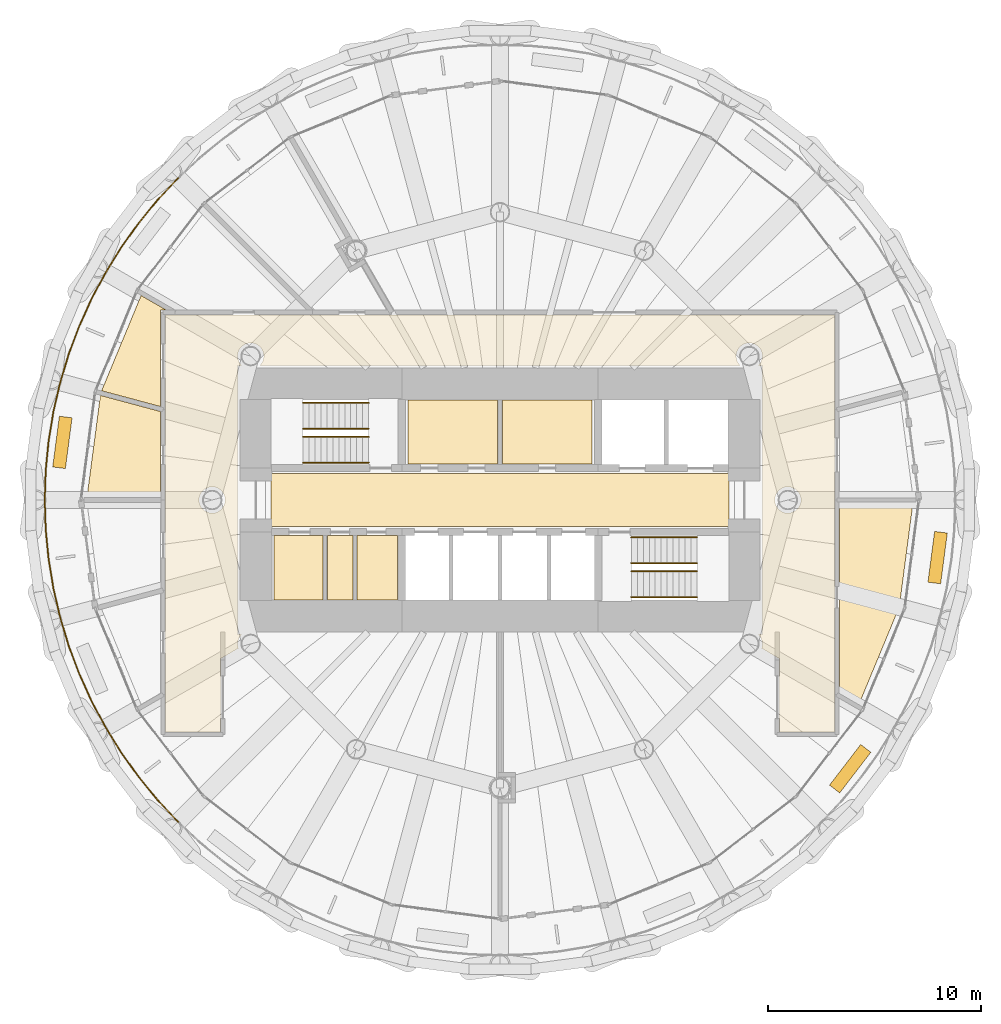
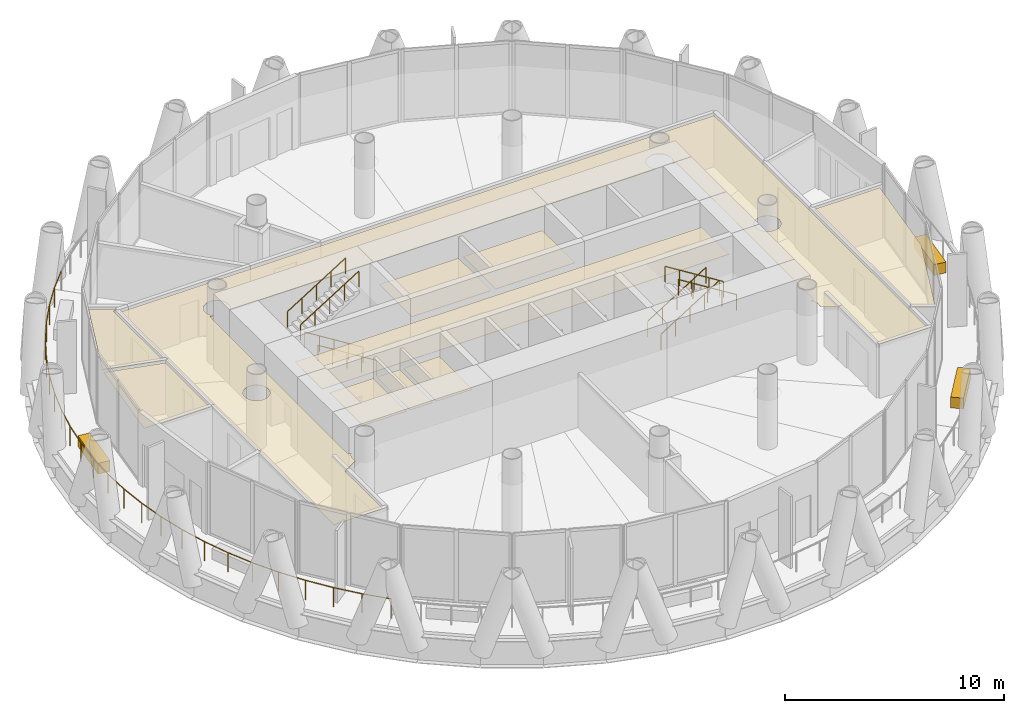
# One storey, part 13 of 15: 13 coverings, 9 railings.
"""IFC4 building model written with IfcOpenShell, lengths in metres."""

from ifc_helpers import new_model, si_unit, direction, frame, origin, origin_2d, place, context, subcontext, project, spatial, polyline, rectangle, circle, outline, extrude, material, layer, layer_set, type_object, element, save


model = new_model("IFC4")

# Units and contexts
model_context = context("Model", 3, precision=1e-05, world=origin(), true_north=direction((0.0, 1.0)))
body_context = subcontext(model_context, "Body", "Model", "MODEL_VIEW")
ifc_project = project(units=[si_unit("LENGTHUNIT", "METRE"), si_unit("AREAUNIT", "SQUARE_METRE"), si_unit("VOLUMEUNIT", "CUBIC_METRE"), si_unit("PLANEANGLEUNIT", "RADIAN"), si_unit("MASSUNIT", "GRAM", prefix="KILO")], contexts=[model_context])

# Site, building, storey
site_placement = place(None, origin())
site = spatial("IfcSite", under=ifc_project, at=site_placement, CompositionType="ELEMENT")
building_placement = place(site_placement, origin())
building = spatial("IfcBuilding", under=site, at=building_placement, Name="Qaws Media Tower", CompositionType="ELEMENT")
storey_placement = place(building_placement, frame((0.0, 0.0, 257.0)))
storey = spatial("IfcBuildingStorey", under=building, at=storey_placement, Name="L59", CompositionType="ELEMENT", Elevation=257.0)

# Covering
ifc_material_1 = material(Name="40 perforated acoustic panels with mineral wool backing, suspended", Category="mineral fibre")
ifc_layer_1 = layer(ifc_material_1, 0.0400390625)
ifc_layer_set_1 = layer_set([ifc_layer_1], Name="Acoustic panel ceiling 40")
covering_type_1 = type_object("IfcCoveringType", Name="Acoustic panel ceiling 40", PredefinedType="CEILING", material=ifc_layer_set_1)
covering_1_placement = place(storey_placement, frame((0.0, 0.0, 2.85009765625)))
element("IfcCovering", 1, at=covering_1_placement, inside=storey, type_object=covering_type_1, Name="CL3 ceiling L59-12 Bureau newsroom", PredefinedType="CEILING", context=body_context, shape_type="SweptSolid", body=[
    extrude(outline(polyline([(78.724609375, 44.982666015625), (76.83154296875, 40.412109375), (75.91259765625, 40.94287109375), (75.91259765625, 49.887451171875), (79.370361328125, 49.887451171875), (78.724609375, 44.982666015625)])), origin(), (0.0, 0.0, 1.0), 0.039794921875),
])

# Railing
ifc_material_2 = material(Name="Stainless steel and glass guard", Category="steel")
railing_type_1 = type_object("IfcRailingType", Name="Balcony guard 1100", PredefinedType="GUARDRAIL", material=ifc_material_2)
railing_placement = place(storey_placement, frame((44.9033203125, 65.0966796875, 0.0)))
element("IfcRailing", 2, at=railing_placement, inside=storey, type_object=railing_type_1, Name="GR1 balcony guard L59-2", PredefinedType="GUARDRAIL", context=body_context, shape_type="SweptSolid", body=[
    extrude(circle(Radius=0.02392578125, at=origin_2d()), frame((0.0, 0.0, 1.076171875), z_axis=(-0.683662043799, -0.729798746141, 0.0), x_axis=(0.729798746141, -0.683662043799, 0.0)), (0.0, 0.0, 1.0), 1.39697265625),
    extrude(circle(Radius=0.02392578125, at=origin_2d()), frame((-0.955078125, -1.01953125, 1.076171875), z_axis=(-0.634321967285, -0.773068976107, 0.0), x_axis=(0.773068976107, -0.634321967285, 0.0)), (0.0, 0.0, 1.0), 1.397216796875),
    extrude(circle(Radius=0.02392578125, at=origin_2d()), frame((-1.84130859375, -2.099609375, 1.076171875), z_axis=(-0.58252663704, -0.81281161233, 0.0), x_axis=(0.81281161233, -0.58252663704, 0.0)), (0.0, 0.0, 1.0), 1.397216796875),
    extrude(circle(Radius=0.02392578125, at=origin_2d()), frame((-2.6552734375, -3.2353515625, 1.076171875), z_axis=(-0.528128296649, -0.849164590806, 0.0), x_axis=(0.849164590806, -0.528128296649, 0.0)), (0.0, 0.0, 1.0), 1.39697265625),
    extrude(circle(Radius=0.02392578125, at=origin_2d()), frame((-3.39306640625, -4.421630859375, 1.076171875), z_axis=(-0.471304621477, -0.881970494844, 0.0), x_axis=(0.881970494844, -0.471304621477, 0.0)), (0.0, 0.0, 1.0), 1.39697265625),
    extrude(circle(Radius=0.02392578125, at=origin_2d()), frame((-4.051513671875, -5.65380859375, 1.076171875), z_axis=(-0.412775685242, -0.910832714428, 0.0), x_axis=(0.910832714428, -0.412775685242, 0.0)), (0.0, 0.0, 1.0), 1.39697265625),
    extrude(circle(Radius=0.02392578125, at=origin_2d()), frame((-4.628173828125, -6.92626953125, 1.076171875), z_axis=(-0.352272140511, -0.935897611398, 0.0), x_axis=(0.935897611398, -0.352272140511, 0.0)), (0.0, 0.0, 1.0), 1.397216796875),
    extrude(circle(Radius=0.02392578125, at=origin_2d()), frame((-5.120361328125, -8.23388671875, 1.076171875), z_axis=(-0.290264443435, -0.956946473361, 0.0), x_axis=(0.956946473361, -0.290264443435, 0.0)), (0.0, 0.0, 1.0), 1.39697265625),
    extrude(circle(Radius=0.02392578125, at=origin_2d()), frame((-5.52587890625, -9.57080078125, 1.076171875), z_axis=(-0.227003112926, -0.973894032594, 0.0), x_axis=(0.973894032594, -0.227003112926, 0.0)), (0.0, 0.0, 1.0), 1.39697265625),
    extrude(circle(Radius=0.02392578125, at=origin_2d()), frame((-5.843017578125, -10.931396484375, 1.076171875), z_axis=(-0.162840455093, -0.986652414067, 0.0), x_axis=(0.986652414067, -0.162840455093, 0.0)), (0.0, 0.0, 1.0), 1.397216796875),
    extrude(circle(Radius=0.02392578125, at=origin_2d()), frame((-6.070556640625, -12.31005859375, 1.076171875), z_axis=(-0.098032968747, -0.995183167582, 0.0), x_axis=(0.995183167582, -0.098032968747, 0.0)), (0.0, 0.0, 1.0), 1.397216796875),
    extrude(circle(Radius=0.02392578125, at=origin_2d()), frame((-6.20751953125, -13.700439453125, 1.076171875), z_axis=(-0.032855132608, -0.999460124398, 0.0), x_axis=(0.999460124398, -0.032855132608, 0.0)), (0.0, 0.0, 1.0), 1.39697265625),
    extrude(circle(Radius=0.02392578125, at=origin_2d()), frame((-6.25341796875, -15.0966796875, 1.076171875), z_axis=(0.032855132608, -0.999460124398, 0.0), x_axis=(0.999460124398, 0.032855132608, 0.0)), (0.0, 0.0, 1.0), 1.39697265625),
    extrude(circle(Radius=0.02392578125, at=origin_2d()), frame((-6.20751953125, -16.492919921875, 1.076171875), z_axis=(0.098032968747, -0.995183167582, 0.0), x_axis=(0.995183167582, 0.098032968747, 0.0)), (0.0, 0.0, 1.0), 1.397216796875),
    extrude(circle(Radius=0.02392578125, at=origin_2d()), frame((-6.070556640625, -17.88330078125, 1.076171875), z_axis=(0.162840455093, -0.986652414067, 0.0), x_axis=(0.986652414067, 0.162840455093, 0.0)), (0.0, 0.0, 1.0), 1.397216796875),
    extrude(circle(Radius=0.02392578125, at=origin_2d()), frame((-5.843017578125, -19.261962890625, 1.076171875), z_axis=(0.227003112926, -0.973894032594, 0.0), x_axis=(0.973894032594, 0.227003112926, 0.0)), (0.0, 0.0, 1.0), 1.39697265625),
    extrude(circle(Radius=0.02392578125, at=origin_2d()), frame((-5.52587890625, -20.62255859375, 1.076171875), z_axis=(0.290264443435, -0.956946473361, 0.0), x_axis=(0.956946473361, 0.290264443435, 0.0)), (0.0, 0.0, 1.0), 1.39697265625),
    extrude(circle(Radius=0.02392578125, at=origin_2d()), frame((-5.120361328125, -21.95947265625, 1.076171875), z_axis=(0.352272140511, -0.935897611398, 0.0), x_axis=(0.935897611398, 0.352272140511, 0.0)), (0.0, 0.0, 1.0), 1.397216796875),
    extrude(circle(Radius=0.02392578125, at=origin_2d()), frame((-4.628173828125, -23.26708984375, 1.076171875), z_axis=(0.412775685242, -0.910832714428, 0.0), x_axis=(0.910832714428, 0.412775685242, 0.0)), (0.0, 0.0, 1.0), 1.39697265625),
    extrude(circle(Radius=0.02392578125, at=origin_2d()), frame((-4.051513671875, -24.53955078125, 1.076171875), z_axis=(0.471304621477, -0.881970494844, 0.0), x_axis=(0.881970494844, 0.471304621477, 0.0)), (0.0, 0.0, 1.0), 1.39697265625),
    extrude(circle(Radius=0.02392578125, at=origin_2d()), frame((-3.39306640625, -25.771728515625, 1.076171875), z_axis=(0.528128296649, -0.849164590806, 0.0), x_axis=(0.849164590806, 0.528128296649, 0.0)), (0.0, 0.0, 1.0), 1.39697265625),
    extrude(circle(Radius=0.02392578125, at=origin_2d()), frame((-2.6552734375, -26.9580078125, 1.076171875), z_axis=(0.58252663704, -0.81281161233, 0.0), x_axis=(0.81281161233, 0.58252663704, 0.0)), (0.0, 0.0, 1.0), 1.397216796875),
    extrude(circle(Radius=0.02392578125, at=origin_2d()), frame((-1.84130859375, -28.09375, 1.076171875), z_axis=(0.634321967285, -0.773068976107, 0.0), x_axis=(0.773068976107, 0.634321967285, 0.0)), (0.0, 0.0, 1.0), 1.397216796875),
    extrude(circle(Radius=0.02392578125, at=origin_2d()), frame((-0.955078125, -29.173828125, 1.076171875), z_axis=(0.683662043799, -0.729798746141, 0.0), x_axis=(0.729798746141, 0.683662043799, 0.0)), (0.0, 0.0, 1.0), 1.39697265625),
    extrude(circle(Radius=0.02099609375, at=origin_2d()), origin(), (0.0, 0.0, 1.0), 1.052001953125),
    extrude(circle(Radius=0.02099609375, at=origin_2d()), frame((-0.955078125, -1.01953125, 0.0)), (0.0, 0.0, 1.0), 1.052001953125),
    extrude(circle(Radius=0.02099609375, at=origin_2d()), frame((-1.84130859375, -2.099609375, 0.0)), (0.0, 0.0, 1.0), 1.052001953125),
    extrude(circle(Radius=0.02099609375, at=origin_2d()), frame((-2.6552734375, -3.2353515625, 0.0)), (0.0, 0.0, 1.0), 1.052001953125),
    extrude(circle(Radius=0.02099609375, at=origin_2d()), frame((-3.39306640625, -4.421630859375, 0.0)), (0.0, 0.0, 1.0), 1.052001953125),
    extrude(circle(Radius=0.02099609375, at=origin_2d()), frame((-4.051513671875, -5.65380859375, 0.0)), (0.0, 0.0, 1.0), 1.052001953125),
    extrude(circle(Radius=0.02099609375, at=origin_2d()), frame((-4.628173828125, -6.92626953125, 0.0)), (0.0, 0.0, 1.0), 1.052001953125),
    extrude(circle(Radius=0.02099609375, at=origin_2d()), frame((-5.120361328125, -8.23388671875, 0.0)), (0.0, 0.0, 1.0), 1.052001953125),
    extrude(circle(Radius=0.02099609375, at=origin_2d()), frame((-5.52587890625, -9.57080078125, 0.0)), (0.0, 0.0, 1.0), 1.052001953125),
    extrude(circle(Radius=0.02099609375, at=origin_2d()), frame((-5.843017578125, -10.931396484375, 0.0)), (0.0, 0.0, 1.0), 1.052001953125),
    extrude(circle(Radius=0.02099609375, at=origin_2d()), frame((-6.070556640625, -12.31005859375, 0.0)), (0.0, 0.0, 1.0), 1.052001953125),
    extrude(circle(Radius=0.02099609375, at=origin_2d()), frame((-6.20751953125, -13.700439453125, 0.0)), (0.0, 0.0, 1.0), 1.052001953125),
    extrude(circle(Radius=0.02099609375, at=origin_2d()), frame((-6.25341796875, -15.0966796875, 0.0)), (0.0, 0.0, 1.0), 1.052001953125),
    extrude(circle(Radius=0.02099609375, at=origin_2d()), frame((-6.20751953125, -16.492919921875, 0.0)), (0.0, 0.0, 1.0), 1.052001953125),
    extrude(circle(Radius=0.02099609375, at=origin_2d()), frame((-6.070556640625, -17.88330078125, 0.0)), (0.0, 0.0, 1.0), 1.052001953125),
    extrude(circle(Radius=0.02099609375, at=origin_2d()), frame((-5.843017578125, -19.261962890625, 0.0)), (0.0, 0.0, 1.0), 1.052001953125),
    extrude(circle(Radius=0.02099609375, at=origin_2d()), frame((-5.52587890625, -20.62255859375, 0.0)), (0.0, 0.0, 1.0), 1.052001953125),
    extrude(circle(Radius=0.02099609375, at=origin_2d()), frame((-5.120361328125, -21.95947265625, 0.0)), (0.0, 0.0, 1.0), 1.052001953125),
    extrude(circle(Radius=0.02099609375, at=origin_2d()), frame((-4.628173828125, -23.26708984375, 0.0)), (0.0, 0.0, 1.0), 1.052001953125),
    extrude(circle(Radius=0.02099609375, at=origin_2d()), frame((-4.051513671875, -24.53955078125, 0.0)), (0.0, 0.0, 1.0), 1.052001953125),
    extrude(circle(Radius=0.02099609375, at=origin_2d()), frame((-3.39306640625, -25.771728515625, 0.0)), (0.0, 0.0, 1.0), 1.052001953125),
    extrude(circle(Radius=0.02099609375, at=origin_2d()), frame((-2.6552734375, -26.9580078125, 0.0)), (0.0, 0.0, 1.0), 1.052001953125),
    extrude(circle(Radius=0.02099609375, at=origin_2d()), frame((-1.84130859375, -28.09375, 0.0)), (0.0, 0.0, 1.0), 1.052001953125),
    extrude(circle(Radius=0.02099609375, at=origin_2d()), frame((-0.955078125, -29.173828125, 0.0)), (0.0, 0.0, 1.0), 1.052001953125),
    extrude(circle(Radius=0.02099609375, at=origin_2d()), frame((0.0, -30.193359375, 0.0)), (0.0, 0.0, 1.0), 1.052001953125),
])

# Coverings
ifc_material_3 = material(Name="600 x 600 mineral fibre tiles in exposed grid, suspended", Category="mineral fibre")
ifc_layer_2 = layer(ifc_material_3, 0.02001953125)
ifc_layer_set_2 = layer_set([ifc_layer_2], Name="Mineral fibre tile ceiling 20")
covering_type_2 = type_object("IfcCoveringType", Name="Mineral fibre tile ceiling 20", PredefinedType="CEILING", material=ifc_layer_set_2)
covering_2_placement = place(storey_placement, frame((0.0, 0.0, 2.85009765625)))
element("IfcCovering", 3, at=covering_2_placement, inside=storey, type_object=covering_type_2, Name="CL1 ceiling L59-C07 Ladies toilets", PredefinedType="CEILING", context=body_context, shape_type="SweptSolid", body=[
    extrude(outline(polyline([(55.695068359375, 51.695068359375), (55.695068359375, 54.679931640625), (59.8798828125, 54.679931640625), (59.8798828125, 51.695068359375), (55.695068359375, 51.695068359375)])), origin(), (0.0, 0.0, 1.0), 0.02001953125),
])
covering_3_placement = place(storey_placement, frame((0.0, 0.0, 2.85009765625)))
element("IfcCovering", 4, at=covering_3_placement, inside=storey, type_object=covering_type_2, Name="CL1 ceiling L59-C08 Gents toilets", PredefinedType="CEILING", context=body_context, shape_type="SweptSolid", body=[
    extrude(outline(polyline([(60.1201171875, 51.695068359375), (60.1201171875, 54.679931640625), (64.304931640625, 54.679931640625), (64.304931640625, 51.695068359375), (60.1201171875, 51.695068359375)])), origin(), (0.0, 0.0, 1.0), 0.02001953125),
])
covering_4_placement = place(storey_placement, frame((0.0, 0.0, 2.85009765625)))
element("IfcCovering", 5, at=covering_4_placement, inside=storey, type_object=covering_type_2, Name="CL1 ceiling L59-01 Corridor", PredefinedType="CEILING", context=body_context, shape_type="SweptSolid", body=[
    extrude(outline(polyline([(44.3125, 39.112548828125), (44.3125, 58.6875), (75.6875, 58.6875), (75.6875, 39.112548828125), (73.112548828125, 39.112548828125), (73.112548828125, 42.559326171875), (72.27197265625, 43.044921875), (72.287353515625, 43.09033203125), (72.302978515625, 43.16943359375), (72.308349609375, 43.25), (72.302978515625, 43.33056640625), (72.287353515625, 43.40966796875), (72.261474609375, 43.486083984375), (72.2255859375, 43.55859375), (72.180908203125, 43.62548828125), (72.126220703125, 43.6875), (72.3125, 43.6875), (72.3125, 56.3125), (72.126220703125, 56.3125), (72.180908203125, 56.37451171875), (72.2255859375, 56.44140625), (72.261474609375, 56.513916015625), (72.287353515625, 56.59033203125), (72.302978515625, 56.66943359375), (72.308349609375, 56.75), (72.302978515625, 56.83056640625), (72.287353515625, 56.90966796875), (72.261474609375, 56.986083984375), (72.2255859375, 57.05859375), (72.180908203125, 57.12548828125), (72.127685546875, 57.186279296875), (72.06689453125, 57.239501953125), (71.999755859375, 57.2841796875), (71.927490234375, 57.320068359375), (71.85107421875, 57.345947265625), (71.77197265625, 57.36181640625), (71.69140625, 57.366943359375), (71.61083984375, 57.36181640625), (71.53173828125, 57.345947265625), (71.455078125, 57.320068359375), (71.3828125, 57.2841796875), (71.315673828125, 57.239501953125), (71.255126953125, 57.186279296875), (71.201904296875, 57.12548828125), (71.156982421875, 57.05859375), (71.121337890625, 56.986083984375), (71.095458984375, 56.90966796875), (71.07958984375, 56.83056640625), (71.07421875, 56.75), (71.07958984375, 56.66943359375), (71.095458984375, 56.59033203125), (71.121337890625, 56.513916015625), (71.156982421875, 56.44140625), (71.201904296875, 56.37451171875), (71.25634765625, 56.3125), (48.74365234375, 56.3125), (48.798095703125, 56.37451171875), (48.843017578125, 56.44140625), (48.878662109375, 56.513916015625), (48.904541015625, 56.59033203125), (48.92041015625, 56.66943359375), (48.92578125, 56.75), (48.92041015625, 56.83056640625), (48.904541015625, 56.90966796875), (48.878662109375, 56.986083984375), (48.843017578125, 57.05859375), (48.798095703125, 57.12548828125), (48.744873046875, 57.186279296875), (48.684326171875, 57.239501953125), (48.6171875, 57.2841796875), (48.544921875, 57.320068359375), (48.46826171875, 57.345947265625), (48.38916015625, 57.36181640625), (48.30859375, 57.366943359375), (48.22802734375, 57.36181640625), (48.14892578125, 57.345947265625), (48.072509765625, 57.320068359375), (48.000244140625, 57.2841796875), (47.93310546875, 57.239501953125), (47.872314453125, 57.186279296875), (47.819091796875, 57.12548828125), (47.7744140625, 57.05859375), (47.738525390625, 56.986083984375), (47.712646484375, 56.90966796875), (47.697021484375, 56.83056640625), (47.691650390625, 56.75), (47.697021484375, 56.66943359375), (47.712646484375, 56.59033203125), (47.738525390625, 56.513916015625), (47.7744140625, 56.44140625), (47.819091796875, 56.37451171875), (47.873779296875, 56.3125), (47.6875, 56.3125), (47.6875, 43.6875), (47.873779296875, 43.6875), (47.819091796875, 43.62548828125), (47.7744140625, 43.55859375), (47.738525390625, 43.486083984375), (47.712646484375, 43.40966796875), (47.697021484375, 43.33056640625), (47.691650390625, 43.25), (47.697021484375, 43.16943359375), (47.712646484375, 43.09033203125), (47.72802734375, 43.044921875), (46.887451171875, 42.559326171875), (46.887451171875, 39.112548828125), (44.3125, 39.112548828125)]), holes=[polyline([(47.070068359375, 49.763916015625), (47.095947265625, 49.84033203125), (47.11181640625, 49.91943359375), (47.116943359375, 50.0), (47.11181640625, 50.08056640625), (47.095947265625, 50.15966796875), (47.070068359375, 50.236083984375), (47.0341796875, 50.30859375), (46.989501953125, 50.37548828125), (46.936279296875, 50.436279296875), (46.87548828125, 50.489501953125), (46.80859375, 50.5341796875), (46.736083984375, 50.570068359375), (46.65966796875, 50.595947265625), (46.58056640625, 50.61181640625), (46.5, 50.616943359375), (46.41943359375, 50.61181640625), (46.34033203125, 50.595947265625), (46.263916015625, 50.570068359375), (46.19140625, 50.5341796875), (46.12451171875, 50.489501953125), (46.063720703125, 50.436279296875), (46.010498046875, 50.37548828125), (45.9658203125, 50.30859375), (45.929931640625, 50.236083984375), (45.904052734375, 50.15966796875), (45.88818359375, 50.08056640625), (45.883056640625, 50.0), (45.88818359375, 49.91943359375), (45.904052734375, 49.84033203125), (45.929931640625, 49.763916015625), (45.9658203125, 49.69140625), (46.010498046875, 49.62451171875), (46.063720703125, 49.563720703125), (46.12451171875, 49.510498046875), (46.19140625, 49.4658203125), (46.263916015625, 49.429931640625), (46.34033203125, 49.404052734375), (46.41943359375, 49.38818359375), (46.5, 49.383056640625), (46.58056640625, 49.38818359375), (46.65966796875, 49.404052734375), (46.736083984375, 49.429931640625), (46.80859375, 49.4658203125), (46.87548828125, 49.510498046875), (46.936279296875, 49.563720703125), (46.989501953125, 49.62451171875), (47.0341796875, 49.69140625), (47.070068359375, 49.763916015625)]), polyline([(74.095947265625, 49.84033203125), (74.11181640625, 49.91943359375), (74.116943359375, 50.0), (74.11181640625, 50.08056640625), (74.095947265625, 50.15966796875), (74.070068359375, 50.236083984375), (74.0341796875, 50.30859375), (73.989501953125, 50.37548828125), (73.936279296875, 50.436279296875), (73.87548828125, 50.489501953125), (73.80859375, 50.5341796875), (73.736083984375, 50.570068359375), (73.65966796875, 50.595947265625), (73.58056640625, 50.61181640625), (73.5, 50.616943359375), (73.41943359375, 50.61181640625), (73.34033203125, 50.595947265625), (73.263916015625, 50.570068359375), (73.19140625, 50.5341796875), (73.12451171875, 50.489501953125), (73.063720703125, 50.436279296875), (73.010498046875, 50.37548828125), (72.9658203125, 50.30859375), (72.929931640625, 50.236083984375), (72.904052734375, 50.15966796875), (72.88818359375, 50.08056640625), (72.883056640625, 50.0), (72.88818359375, 49.91943359375), (72.904052734375, 49.84033203125), (72.929931640625, 49.763916015625), (72.9658203125, 49.69140625), (73.010498046875, 49.62451171875), (73.063720703125, 49.563720703125), (73.12451171875, 49.510498046875), (73.19140625, 49.4658203125), (73.263916015625, 49.429931640625), (73.34033203125, 49.404052734375), (73.41943359375, 49.38818359375), (73.5, 49.383056640625), (73.58056640625, 49.38818359375), (73.65966796875, 49.404052734375), (73.736083984375, 49.429931640625), (73.80859375, 49.4658203125), (73.87548828125, 49.510498046875), (73.936279296875, 49.563720703125), (73.989501953125, 49.62451171875), (74.0341796875, 49.69140625), (74.070068359375, 49.763916015625), (74.095947265625, 49.84033203125)])]), origin(), (0.0, 0.0, 1.0), 0.02001953125),
])
covering_5_placement = place(storey_placement, frame((0.0, 0.0, 2.85009765625)))
element("IfcCovering", 6, at=covering_5_placement, inside=storey, type_object=covering_type_2, Name="CL1 ceiling L59-07 Office", PredefinedType="CEILING", context=body_context, shape_type="SweptSolid", body=[
    extrude(outline(polyline([(41.260498046875, 54.90478515625), (44.08740234375, 54.147216796875), (44.08740234375, 50.112548828125), (40.629638671875, 50.112548828125), (41.260498046875, 54.90478515625)])), origin(), (0.0, 0.0, 1.0), 0.02001953125),
])
covering_6_placement = place(storey_placement, frame((0.0, 0.0, 2.85009765625)))
element("IfcCovering", 7, at=covering_6_placement, inside=storey, type_object=covering_type_2, Name="CL1 ceiling L59-C05 Cleaner's room", PredefinedType="CEILING", context=body_context, shape_type="SweptSolid", body=[
    extrude(outline(polyline([(51.89990234375, 45.300048828125), (51.89990234375, 48.324951171875), (53.10009765625, 48.324951171875), (53.10009765625, 45.300048828125), (51.89990234375, 45.300048828125)])), origin(), (0.0, 0.0, 1.0), 0.02001953125),
])
covering_7_placement = place(storey_placement, frame((0.0, 0.0, 2.85009765625)))
element("IfcCovering", 8, at=covering_7_placement, inside=storey, type_object=covering_type_2, Name="CL1 ceiling L59-C06 First aid room", PredefinedType="CEILING", context=body_context, shape_type="SweptSolid", body=[
    extrude(outline(polyline([(53.300048828125, 45.300048828125), (53.300048828125, 48.324951171875), (55.199951171875, 48.324951171875), (55.199951171875, 45.300048828125), (53.300048828125, 45.300048828125)])), origin(), (0.0, 0.0, 1.0), 0.02001953125),
])
ifc_material_4 = material(Name="Precast concrete planter with trailing planting", Category="concrete")
ifc_layer_3 = layer(ifc_material_4, 0.60009765625)
ifc_layer_set_3 = layer_set([ifc_layer_3], Name="Planter 2400x600")
covering_type_3 = type_object("IfcCoveringType", Name="Planter 2400x600", PredefinedType="USERDEFINED", material=ifc_layer_set_3)
for number, where, z_axis, x_axis, name in (
    (9, (39.47705078125, 52.701904296875, 0.0), (0.0, 0.0, 1.0), (-0.13052619222, -0.991444861374, 0.0), "PL1 balcony planter L59-06"),
    (10, (76.42236328125, 37.398681640625, 0.0), (0.0, 0.0, 1.0), (0.608761429009, 0.793353340291, 0.0), "PL1 balcony planter L59-11"),
    (11, (80.52294921875, 47.298095703125, 0.0), (0.0, 0.0, 1.0), (0.13052619222, 0.991444861374, 0.0), "PL1 balcony planter L59-12"),
):
    element("IfcCovering", number, at=place(storey_placement, frame(where, z_axis=z_axis, x_axis=x_axis)), inside=storey, type_object=covering_type_3, Name=name, ObjectType="PLANTER", PredefinedType="USERDEFINED", context=body_context, shape_type="SweptSolid", body=[
        extrude(rectangle(XDim=2.39990234375, YDim=0.60009765625, at=origin_2d()), origin(), (0.0, 0.0, 1.0), 0.60009765625),
    ])
ifc_material_5 = material(Name="Two layers 12.5 moisture-resistant plasterboard on suspended metal furring", Category="gypsum")
ifc_layer_4 = layer(ifc_material_5, 0.02490234375)
ifc_layer_set_4 = layer_set([ifc_layer_4], Name="Plasterboard ceiling 25")
covering_type_4 = type_object("IfcCoveringType", Name="Plasterboard ceiling 25", PredefinedType="CEILING", material=ifc_layer_set_4)
covering_8_placement = place(storey_placement, frame((0.0, 0.0, 2.85009765625)))
element("IfcCovering", 12, at=covering_8_placement, inside=storey, type_object=covering_type_4, Name="CL2 ceiling L59-C01 Lift lobby", PredefinedType="CEILING", context=body_context, shape_type="SweptSolid", body=[
    extrude(outline(polyline([(49.25, 48.75), (49.25, 51.25), (70.75, 51.25), (70.75, 48.75), (49.25, 48.75)])), origin(), (0.0, 0.0, 1.0), 0.02490234375),
])
covering_9_placement = place(storey_placement, frame((0.0, 0.0, 2.85009765625)))
element("IfcCovering", 13, at=covering_9_placement, inside=storey, type_object=covering_type_4, Name="CL2 ceiling L59-06 Bureau reception", PredefinedType="CEILING", context=body_context, shape_type="SweptSolid", body=[
    extrude(outline(polyline([(43.16845703125, 59.587890625), (44.338134765625, 58.91259765625), (44.08740234375, 58.91259765625), (44.08740234375, 54.380126953125), (41.318603515625, 55.1220703125), (43.16845703125, 59.587890625)])), origin(), (0.0, 0.0, 1.0), 0.02490234375),
])
covering_10_placement = place(storey_placement, frame((0.0, 0.0, 2.85009765625)))
element("IfcCovering", 14, at=covering_10_placement, inside=storey, type_object=covering_type_4, Name="CL2 ceiling L59-C04 Accessible WC", PredefinedType="CEILING", context=body_context, shape_type="SweptSolid", body=[
    extrude(outline(polyline([(49.39990234375, 45.300048828125), (49.39990234375, 48.324951171875), (51.699951171875, 48.324951171875), (51.699951171875, 45.300048828125), (49.39990234375, 45.300048828125)])), origin(), (0.0, 0.0, 1.0), 0.02490234375),
])

# Railings
ifc_material_6 = material(Name="Steel tube handrail", Category="steel")
railing_type_2 = type_object("IfcRailingType", Name="Stair handrail 900", PredefinedType="HANDRAIL", material=ifc_material_6)
for number, where, name in (
    (15, (53.840087890625, 51.75, 0.175048828125), "HR1 handrail S1 flight 1 L59"),
    (16, (53.840087890625, 52.9599609375, 0.175048828125), "HR1 handrail S1 flight 1 L59"),
):
    element("IfcRailing", number, at=place(storey_placement, frame(where)), inside=storey, type_object=railing_type_2, Name=name, PredefinedType="HANDRAIL", context=body_context, shape_type="SweptSolid", body=[
        extrude(circle(Radius=0.02392578125, at=origin_2d()), frame((0.0, 0.0, 0.8759765625), z_axis=(-0.847998304005, 0.0, 0.529998940003), x_axis=(0.0, -1.0, 0.0)), (0.0, 0.0, 1.0), 3.632080078125),
        extrude(circle(Radius=0.02099609375, at=origin_2d()), origin(), (0.0, 0.0, 1.0), 0.851806640625),
        extrude(circle(Radius=0.02099609375, at=origin_2d()), frame((-0.77001953125, 0.0, 0.481201171875)), (0.0, 0.0, 1.0), 0.851806640625),
        extrude(circle(Radius=0.02099609375, at=origin_2d()), frame((-1.5400390625, 0.0, 0.96240234375)), (0.0, 0.0, 1.0), 0.851806640625),
        extrude(circle(Radius=0.02099609375, at=origin_2d()), frame((-2.31005859375, 0.0, 1.44384765625)), (0.0, 0.0, 1.0), 0.851806640625),
        extrude(circle(Radius=0.02099609375, at=origin_2d()), frame((-3.080078125, 0.0, 1.925048828125)), (0.0, 0.0, 1.0), 0.851806640625),
    ])
for number, where, name in (
    (17, (50.760009765625, 54.550048828125, 2.27490234375), "HR1 handrail S1 flight 2 L59"),
    (18, (50.760009765625, 53.340087890625, 2.27490234375), "HR1 handrail S1 flight 2 L59"),
    (19, (66.159912109375, 48.25, 0.175048828125), "HR1 handrail S2 flight 1 L59"),
    (20, (66.159912109375, 47.0400390625, 0.175048828125), "HR1 handrail S2 flight 1 L59"),
):
    element("IfcRailing", number, at=place(storey_placement, frame(where)), inside=storey, type_object=railing_type_2, Name=name, PredefinedType="HANDRAIL", context=body_context, shape_type="SweptSolid", body=[
        extrude(circle(Radius=0.02392578125, at=origin_2d()), frame((0.0, 0.0, 0.8759765625), z_axis=(0.847998304005, 0.0, 0.529998940003), x_axis=(0.0, 1.0, 0.0)), (0.0, 0.0, 1.0), 3.632080078125),
        extrude(circle(Radius=0.02099609375, at=origin_2d()), origin(), (0.0, 0.0, 1.0), 0.851806640625),
        extrude(circle(Radius=0.02099609375, at=origin_2d()), frame((0.77001953125, 0.0, 0.481201171875)), (0.0, 0.0, 1.0), 0.851806640625),
        extrude(circle(Radius=0.02099609375, at=origin_2d()), frame((1.5400390625, 0.0, 0.96240234375)), (0.0, 0.0, 1.0), 0.851806640625),
        extrude(circle(Radius=0.02099609375, at=origin_2d()), frame((2.31005859375, 0.0, 1.44384765625)), (0.0, 0.0, 1.0), 0.851806640625),
        extrude(circle(Radius=0.02099609375, at=origin_2d()), frame((3.080078125, 0.0, 1.925048828125)), (0.0, 0.0, 1.0), 0.851806640625),
    ])
for number, where, name in (
    (21, (69.239990234375, 45.449951171875, 2.27490234375), "HR1 handrail S2 flight 2 L59"),
    (22, (69.239990234375, 46.659912109375, 2.27490234375), "HR1 handrail S2 flight 2 L59"),
):
    element("IfcRailing", number, at=place(storey_placement, frame(where)), inside=storey, type_object=railing_type_2, Name=name, PredefinedType="HANDRAIL", context=body_context, shape_type="SweptSolid", body=[
        extrude(circle(Radius=0.02392578125, at=origin_2d()), frame((0.0, 0.0, 0.8759765625), z_axis=(-0.847998304005, 0.0, 0.529998940003), x_axis=(0.0, -1.0, 0.0)), (0.0, 0.0, 1.0), 3.632080078125),
        extrude(circle(Radius=0.02099609375, at=origin_2d()), origin(), (0.0, 0.0, 1.0), 0.851806640625),
        extrude(circle(Radius=0.02099609375, at=origin_2d()), frame((-0.77001953125, 0.0, 0.481201171875)), (0.0, 0.0, 1.0), 0.851806640625),
        extrude(circle(Radius=0.02099609375, at=origin_2d()), frame((-1.5400390625, 0.0, 0.96240234375)), (0.0, 0.0, 1.0), 0.851806640625),
        extrude(circle(Radius=0.02099609375, at=origin_2d()), frame((-2.31005859375, 0.0, 1.44384765625)), (0.0, 0.0, 1.0), 0.851806640625),
        extrude(circle(Radius=0.02099609375, at=origin_2d()), frame((-3.080078125, 0.0, 1.925048828125)), (0.0, 0.0, 1.0), 0.851806640625),
    ])

save(model, "model.ifc")
